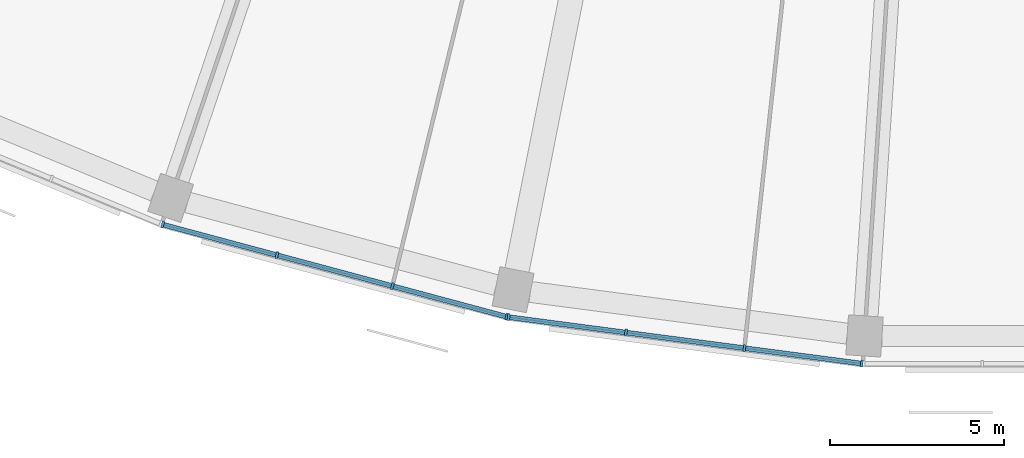
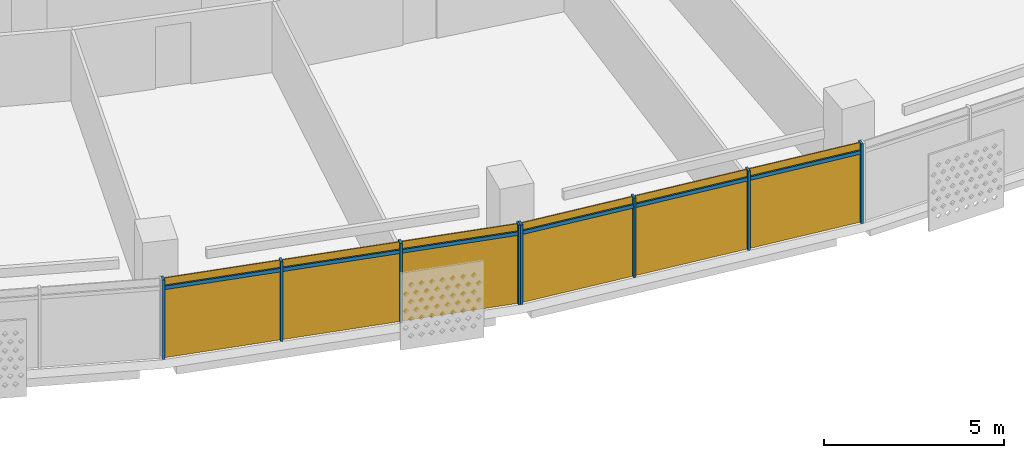
# One storey, part 18 of 28: 14 members, 2 curtain walls.
"""IFC4 building model written with IfcOpenShell, lengths in metres."""

from ifc_helpers import new_model, si_unit, direction, frame, origin, origin_2d, place, context, subcontext, project, spatial, rectangle, extrude, material, material_profile, profile_set, type_object, element, aggregate, save


model = new_model("IFC4")

# Units and contexts
model_context = context("Model", 3, precision=1e-05, world=origin(), true_north=direction((0.0, 1.0)))
body_context = subcontext(model_context, "Body", "Model", "MODEL_VIEW")
ifc_project = project(units=[si_unit("LENGTHUNIT", "METRE"), si_unit("AREAUNIT", "SQUARE_METRE"), si_unit("VOLUMEUNIT", "CUBIC_METRE"), si_unit("PLANEANGLEUNIT", "RADIAN"), si_unit("MASSUNIT", "GRAM", prefix="KILO")], contexts=[model_context])

# Member
ifc_material = material(Name="Aluminium 6063-T6 anodised", Category="aluminium")
ifc_material_profile_1 = material_profile(ifc_material, rectangle(XDim=0.199951171875, YDim=0.070068359375, at=origin_2d()))
ifc_profile_set_1 = profile_set([ifc_material_profile_1], Name="Aluminium 6063-T6 anodised")
member_type_1 = type_object("IfcMemberType", Name="Mullion 70 x 200 aluminium", PredefinedType="MULLION", material=ifc_profile_set_1)
site_placement = place(None, origin())
building_placement = place(site_placement, origin())
storey_placement = place(building_placement, frame((0.0, 0.0, 245.5)))
member_1_placement = place(storey_placement, frame((-25.221435546875, -74.388427734375, 0.0), z_axis=(0.0, 0.0, 1.0), x_axis=(0.258819045103, 0.965925826289, 0.0)))
member_1 = element("IfcMember", 1, at=member_1_placement, type_object=member_type_1, Name="e-cw1-L59-out06/M00", PredefinedType="MULLION", context=body_context, shape_type="SweptSolid", body=[
    extrude(rectangle(XDim=0.199951171875, YDim=0.070068359375, at=origin_2d()), origin(), (0.0, 0.0, 1.0), 2.699951171875),
])

member_2_placement = place(storey_placement, frame((-21.94287109375, -75.26708984375, 0.0), z_axis=(0.0, 0.0, 1.0), x_axis=(0.258819045103, 0.965925826289, 0.0)))
member_2 = element("IfcMember", 2, at=member_2_placement, type_object=member_type_1, Name="e-cw1-L59-out06/M01", PredefinedType="MULLION", context=body_context, shape_type="SweptSolid", body=[
    extrude(rectangle(XDim=0.199951171875, YDim=0.070068359375, at=origin_2d()), origin(), (0.0, 0.0, 1.0), 2.699951171875),
])

member_3_placement = place(storey_placement, frame((-18.63037109375, -76.154541015625, 0.0), z_axis=(0.0, 0.0, 1.0), x_axis=(0.258819045103, 0.965925826289, 0.0)))
member_3 = element("IfcMember", 3, at=member_3_placement, type_object=member_type_1, Name="e-cw1-L59-out06/M02", PredefinedType="MULLION", context=body_context, shape_type="SweptSolid", body=[
    extrude(rectangle(XDim=0.199951171875, YDim=0.070068359375, at=origin_2d()), origin(), (0.0, 0.0, 1.0), 2.699951171875),
])

member_4_placement = place(storey_placement, frame((-15.351806640625, -77.033203125, 0.0), z_axis=(0.0, 0.0, 1.0), x_axis=(0.258819045103, 0.965925826289, 0.0)))
member_4 = element("IfcMember", 4, at=member_4_placement, type_object=member_type_1, Name="e-cw1-L59-out06/M03", PredefinedType="MULLION", context=body_context, shape_type="SweptSolid", body=[
    extrude(rectangle(XDim=0.199951171875, YDim=0.070068359375, at=origin_2d()), origin(), (0.0, 0.0, 1.0), 2.699951171875),
])

member_5_placement = place(storey_placement, frame((-15.296142578125, -77.044189453125, 0.0), z_axis=(0.0, 0.0, 1.0), x_axis=(0.13052619222, 0.991444861374, 0.0)))
member_5 = element("IfcMember", 5, at=member_5_placement, type_object=member_type_1, Name="e-cw1-L59-out07/M00", PredefinedType="MULLION", context=body_context, shape_type="SweptSolid", body=[
    extrude(rectangle(XDim=0.199951171875, YDim=0.070068359375, at=origin_2d()), origin(), (0.0, 0.0, 1.0), 2.699951171875),
])

member_6_placement = place(storey_placement, frame((-11.930908203125, -77.4873046875, 0.0), z_axis=(0.0, 0.0, 1.0), x_axis=(0.13052619222, 0.991444861374, 0.0)))
member_6 = element("IfcMember", 6, at=member_6_placement, type_object=member_type_1, Name="e-cw1-L59-out07/M01", PredefinedType="MULLION", context=body_context, shape_type="SweptSolid", body=[
    extrude(rectangle(XDim=0.199951171875, YDim=0.070068359375, at=origin_2d()), origin(), (0.0, 0.0, 1.0), 2.699951171875),
])

member_7_placement = place(storey_placement, frame((-8.53076171875, -77.934814453125, 0.0), z_axis=(0.0, 0.0, 1.0), x_axis=(0.13052619222, 0.991444861374, 0.0)))
member_7 = element("IfcMember", 7, at=member_7_placement, type_object=member_type_1, Name="e-cw1-L59-out07/M02", PredefinedType="MULLION", context=body_context, shape_type="SweptSolid", body=[
    extrude(rectangle(XDim=0.199951171875, YDim=0.070068359375, at=origin_2d()), origin(), (0.0, 0.0, 1.0), 2.699951171875),
])

member_8_placement = place(storey_placement, frame((-5.16552734375, -78.3779296875, 0.0), z_axis=(0.0, 0.0, 1.0), x_axis=(0.13052619222, 0.991444861374, 0.0)))
member_8 = element("IfcMember", 8, at=member_8_placement, type_object=member_type_1, Name="e-cw1-L59-out07/M03", PredefinedType="MULLION", context=body_context, shape_type="SweptSolid", body=[
    extrude(rectangle(XDim=0.199951171875, YDim=0.070068359375, at=origin_2d()), origin(), (0.0, 0.0, 1.0), 2.699951171875),
])

ifc_material_profile_2 = material_profile(ifc_material, rectangle(XDim=0.139892578125, YDim=0.1201171875, at=origin_2d()))
ifc_profile_set_2 = profile_set([ifc_material_profile_2], Name="Aluminium 6063-T6 anodised")
member_type_2 = type_object("IfcMemberType", Name="Transom 120 x 140 aluminium", PredefinedType="USERDEFINED", material=ifc_profile_set_2)
member_9_placement = place(storey_placement, frame((-25.187744140625, -74.3974609375, 2.39990234375), z_axis=(0.965908708139, -0.25888292246, 0.0), x_axis=(0.25888292246, 0.965908708139, 0.0)))
member_9 = element("IfcMember", 9, at=member_9_placement, type_object=member_type_2, Name="e-cw1-L59-out06/T00", ObjectType="TRANSOM", PredefinedType="USERDEFINED", context=body_context, shape_type="SweptSolid", body=[
    extrude(rectangle(XDim=0.139892578125, YDim=0.1201171875, at=origin_2d()), origin(), (0.0, 0.0, 1.0), 3.32421875),
])

member_10_placement = place(storey_placement, frame((-21.9091796875, -75.276123046875, 2.39990234375), z_axis=(0.965931507774, -0.258797840582, 0.0), x_axis=(0.258797840582, 0.965931507774, 0.0)))
member_10 = element("IfcMember", 10, at=member_10_placement, type_object=member_type_2, Name="e-cw1-L59-out06/T01", ObjectType="TRANSOM", PredefinedType="USERDEFINED", context=body_context, shape_type="SweptSolid", body=[
    extrude(rectangle(XDim=0.139892578125, YDim=0.1201171875, at=origin_2d()), origin(), (0.0, 0.0, 1.0), 3.359375),
])

member_11_placement = place(storey_placement, frame((-18.5966796875, -76.16357421875, 2.39990234375), z_axis=(0.965913629723, -0.258864559019, 0.0), x_axis=(0.258864559019, 0.965913629723, 0.0)))
member_11 = element("IfcMember", 11, at=member_11_placement, type_object=member_type_2, Name="e-cw1-L59-out06/T02", ObjectType="TRANSOM", PredefinedType="USERDEFINED", context=body_context, shape_type="SweptSolid", body=[
    extrude(rectangle(XDim=0.139892578125, YDim=0.1201171875, at=origin_2d()), origin(), (0.0, 0.0, 1.0), 3.324462890625),
])

member_12_placement = place(storey_placement, frame((-15.261474609375, -77.048828125, 2.39990234375), z_axis=(0.991447795146, -0.130503906072, 0.0), x_axis=(0.130503906072, 0.991447795146, 0.0)))
member_12 = element("IfcMember", 12, at=member_12_placement, type_object=member_type_2, Name="e-cw1-L59-out07/T00", ObjectType="TRANSOM", PredefinedType="USERDEFINED", context=body_context, shape_type="SweptSolid", body=[
    extrude(rectangle(XDim=0.139892578125, YDim=0.1201171875, at=origin_2d()), origin(), (0.0, 0.0, 1.0), 3.32421875),
])

member_13_placement = place(storey_placement, frame((-11.896240234375, -77.49169921875, 2.39990234375), z_axis=(0.991444893088, -0.130525951326, 0.0), x_axis=(0.130525951326, 0.991444893088, 0.0)))
member_13 = element("IfcMember", 13, at=member_13_placement, type_object=member_type_2, Name="e-cw1-L59-out07/T01", ObjectType="TRANSOM", PredefinedType="USERDEFINED", context=body_context, shape_type="SweptSolid", body=[
    extrude(rectangle(XDim=0.139892578125, YDim=0.1201171875, at=origin_2d()), origin(), (0.0, 0.0, 1.0), 3.359375),
])

member_14_placement = place(storey_placement, frame((-8.49609375, -77.939453125, 2.39990234375), z_axis=(0.991447795146, -0.130503906072, 0.0), x_axis=(0.130503906072, 0.991447795146, 0.0)))
member_14 = element("IfcMember", 14, at=member_14_placement, type_object=member_type_2, Name="e-cw1-L59-out07/T02", ObjectType="TRANSOM", PredefinedType="USERDEFINED", context=body_context, shape_type="SweptSolid", body=[
    extrude(rectangle(XDim=0.139892578125, YDim=0.1201171875, at=origin_2d()), origin(), (0.0, 0.0, 1.0), 3.32421875),
])

# Site, building, storey
site = spatial("IfcSite", under=ifc_project, at=site_placement, CompositionType="ELEMENT")
building = spatial("IfcBuilding", under=site, at=building_placement, Name="Qamariyya Broadcast Tower", CompositionType="ELEMENT")
storey = spatial("IfcBuildingStorey", under=building, at=storey_placement, Name="L59", CompositionType="ELEMENT", Elevation=245.5)

# Curtain wall
curtain_wall_type = type_object("IfcCurtainWallType", Name="Unitised curtain wall, anodised aluminium", PredefinedType="NOTDEFINED", material=ifc_material)
curtain_wall_1_placement = place(storey_placement, origin())
curtain_wall_1 = element("IfcCurtainWall", 15, at=curtain_wall_1_placement, inside=storey, type_object=curtain_wall_type, Name="e-cw1-L59-out06", PredefinedType="NOTDEFINED", context=body_context, shape_type="SweptSolid", body=[
    extrude(rectangle(XDim=3.324462890625, YDim=0.031982421875, at=origin_2d()), frame((-23.582275390625, -74.82763671875, 0.0), x_axis=(0.965923476514, -0.258827814424, 0.0)), (0.0, 0.0, 1.0), 2.340087890625),
    extrude(rectangle(XDim=3.324462890625, YDim=0.031982421875, at=origin_2d()), frame((-23.582275390625, -74.82763671875, 2.4599609375), x_axis=(0.965923476514, -0.258827814424, 0.0)), (0.0, 0.0, 1.0), 0.239990234375),
    extrude(rectangle(XDim=3.359375, YDim=0.031982421875, at=origin_2d()), frame((-20.28662109375, -75.7109375, 0.0), x_axis=(0.965923476514, -0.258827814424, 0.0)), (0.0, 0.0, 1.0), 2.340087890625),
    extrude(rectangle(XDim=3.359375, YDim=0.031982421875, at=origin_2d()), frame((-20.28662109375, -75.7109375, 2.4599609375), x_axis=(0.965923476514, -0.258827814424, 0.0)), (0.0, 0.0, 1.0), 0.239990234375),
    extrude(rectangle(XDim=3.324462890625, YDim=0.031982421875, at=origin_2d()), frame((-16.990966796875, -76.593994140625, 0.0), x_axis=(0.965923476514, -0.258827814424, 0.0)), (0.0, 0.0, 1.0), 2.340087890625),
    extrude(rectangle(XDim=3.324462890625, YDim=0.031982421875, at=origin_2d()), frame((-16.990966796875, -76.593994140625, 2.4599609375), x_axis=(0.965923476514, -0.258827814424, 0.0)), (0.0, 0.0, 1.0), 0.239990234375),
])

aggregate(curtain_wall_1, [member_1, member_2, member_3, member_4, member_9, member_10, member_11])

curtain_wall_2_placement = place(storey_placement, origin())
curtain_wall_2 = element("IfcCurtainWall", 16, at=curtain_wall_2_placement, inside=storey, type_object=curtain_wall_type, Name="e-cw1-L59-out07", PredefinedType="NOTDEFINED", context=body_context, shape_type="SweptSolid", body=[
    extrude(rectangle(XDim=3.32421875, YDim=0.031982421875, at=origin_2d()), frame((-13.613525390625, -77.265625, 0.0), x_axis=(0.991442741341, -0.130542294457, 0.0)), (0.0, 0.0, 1.0), 2.340087890625),
    extrude(rectangle(XDim=3.32421875, YDim=0.031982421875, at=origin_2d()), frame((-13.613525390625, -77.265625, 2.4599609375), x_axis=(0.991442741341, -0.130542294457, 0.0)), (0.0, 0.0, 1.0), 0.239990234375),
    extrude(rectangle(XDim=3.359375, YDim=0.031982421875, at=origin_2d()), frame((-10.23095703125, -77.7109375, 0.0), x_axis=(0.991442741341, -0.130542294457, 0.0)), (0.0, 0.0, 1.0), 2.340087890625),
    extrude(rectangle(XDim=3.359375, YDim=0.031982421875, at=origin_2d()), frame((-10.23095703125, -77.7109375, 2.4599609375), x_axis=(0.991442741341, -0.130542294457, 0.0)), (0.0, 0.0, 1.0), 0.239990234375),
    extrude(rectangle(XDim=3.32421875, YDim=0.031982421875, at=origin_2d()), frame((-6.84814453125, -78.156494140625, 0.0), x_axis=(0.991442741341, -0.130542294457, 0.0)), (0.0, 0.0, 1.0), 2.340087890625),
    extrude(rectangle(XDim=3.32421875, YDim=0.031982421875, at=origin_2d()), frame((-6.84814453125, -78.156494140625, 2.4599609375), x_axis=(0.991442741341, -0.130542294457, 0.0)), (0.0, 0.0, 1.0), 0.239990234375),
])

aggregate(curtain_wall_2, [member_5, member_6, member_7, member_8, member_12, member_13, member_14])

save(model, "model.ifc")
